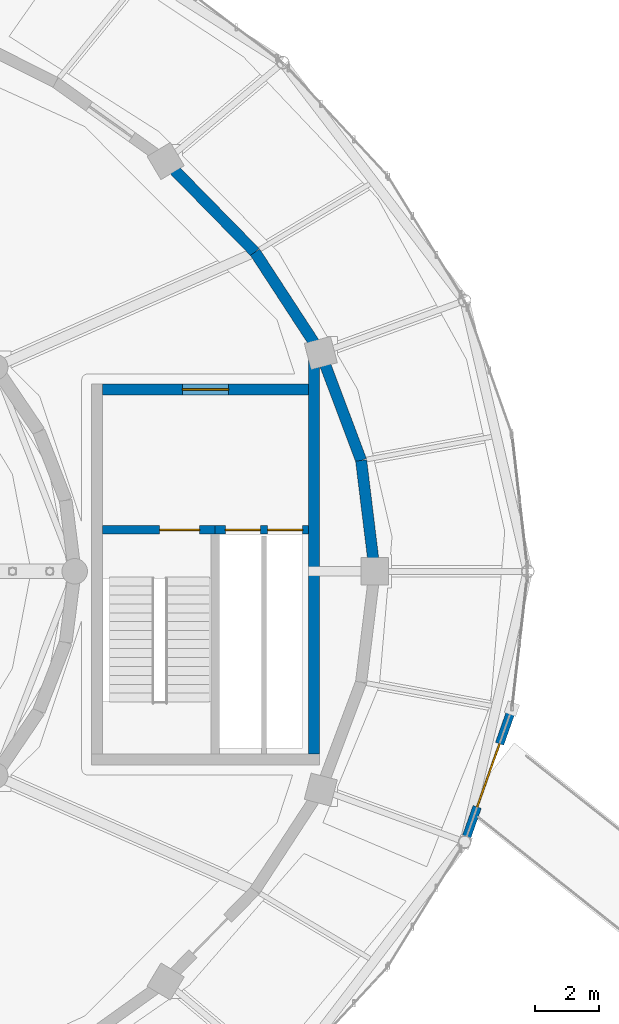
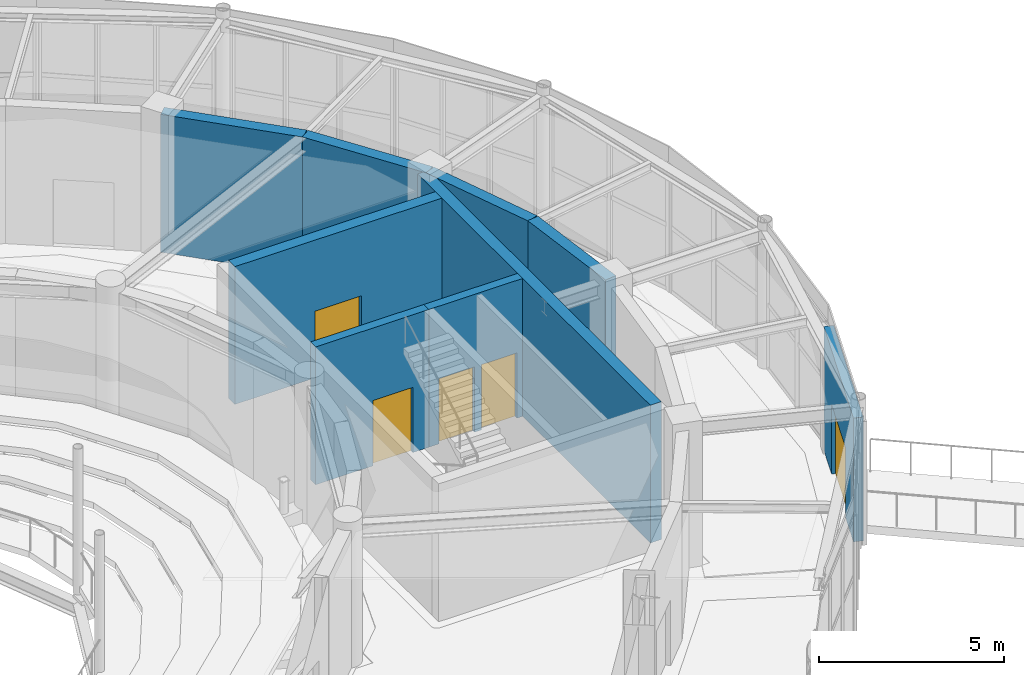
# One storey, part 80 of 100: 9 walls, 5 doors, 5 openings.
"""IFC4 building model written with IfcOpenShell, lengths in metres."""

from ifc_helpers import new_model, si_unit, direction, frame, frame_2d, origin, place, context, subcontext, project, spatial, rectangle, extrude, material, layer, layer_set, type_object, element, fill, save


model = new_model("IFC4")

# Units and contexts
model_context = context("Model", 3, precision=1e-05, world=origin(), true_north=direction((0.0, 1.0)))
body_context = subcontext(model_context, "Body", "Model", "MODEL_VIEW")
ifc_project = project(units=[si_unit("LENGTHUNIT", "METRE"), si_unit("AREAUNIT", "SQUARE_METRE"), si_unit("VOLUMEUNIT", "CUBIC_METRE"), si_unit("PLANEANGLEUNIT", "RADIAN"), si_unit("MASSUNIT", "GRAM", prefix="KILO")], contexts=[model_context])

# Site, building, storey
site_placement = place(None, origin())
site = spatial("IfcSite", under=ifc_project, at=site_placement, CompositionType="ELEMENT")
building_placement = place(site_placement, origin())
building = spatial("IfcBuilding", under=site, at=building_placement, Name="Tarnveldt Headland Concert Hall", CompositionType="ELEMENT")
storey_placement = place(building_placement, frame((0.0, 0.0, 4.800048828125)))
storey = spatial("IfcBuildingStorey", under=building, at=storey_placement, Name="L01", CompositionType="ELEMENT", Elevation=4.800048828125)

# Walls
ifc_material_1 = material(Name="Concrete C40/50", Category="concrete")
ifc_layer_1 = layer(ifc_material_1, 0.35009765625, Name="Concrete C40/50", Category="concrete")
ifc_layer_set_1 = layer_set([ifc_layer_1], Name="Concrete C40/50")
wall_type_1 = type_object("IfcWallType", Name="WL-CR350", PredefinedType="SHEAR", material=ifc_layer_set_1)
wall_1_placement = place(storey_placement, frame((111.5, 54.5, 0.0), z_axis=(0.0, 0.0, 1.0), x_axis=(-0.121552414401, 0.99258501427, 0.0)))
element("IfcWall", 1, at=wall_1_placement, inside=storey, type_object=wall_type_1, Name="Symphony drum shear wall L01-1", PredefinedType="SHEAR", context=body_context, shape_type="SweptSolid", body=[
    extrude(rectangle(XDim=3.498779296875, YDim=0.35009765625, at=frame_2d((1.74951171875, 0.0))), origin(), (0.0, 0.0, 1.0), 4.5400390625),
])
wall_2_placement = place(storey_placement, frame((111.07470703125, 57.972900390625, 0.0), z_axis=(0.0, 0.0, 1.0), x_axis=(-0.351279653979, 0.936270583058, 0.0)))
element("IfcWall", 2, at=wall_2_placement, inside=storey, type_object=wall_type_1, Name="Symphony drum shear wall L01-2", PredefinedType="SHEAR", context=body_context, shape_type="SweptSolid", body=[
    extrude(rectangle(XDim=3.5966796875, YDim=0.35009765625, at=frame_2d((1.79833984375, 0.0))), origin(), (0.0, 0.0, 1.0), 4.5400390625),
])
wall_3_placement = place(storey_placement, frame((109.811279296875, 61.34033203125, 0.0), z_axis=(0.0, 0.0, 1.0), x_axis=(-0.546611158382, 0.837386554425, 0.0)))
element("IfcWall", 3, at=wall_3_placement, inside=storey, type_object=wall_type_1, Name="Symphony drum shear wall L01-3", PredefinedType="SHEAR", context=body_context, shape_type="SweptSolid", body=[
    extrude(rectangle(XDim=3.773193359375, YDim=0.35009765625, at=frame_2d((1.88671875, 0.0))), origin(), (0.0, 0.0, 1.0), 4.5400390625),
])
wall_4_placement = place(storey_placement, frame((107.748779296875, 64.5, 0.0), z_axis=(0.0, 0.0, 1.0), x_axis=(-0.700051268358, 0.714092586203, 0.0)))
element("IfcWall", 4, at=wall_4_placement, inside=storey, type_object=wall_type_1, Name="Symphony drum shear wall L01-4", PredefinedType="SHEAR", context=body_context, shape_type="SweptSolid", body=[
    extrude(rectangle(XDim=3.9990234375, YDim=0.35009765625, at=frame_2d((1.99951171875, 0.0))), origin(), (0.0, 0.0, 1.0), 4.5400390625),
])

# Wall, opening, door
wall_5_placement = place(storey_placement, frame((102.97509765625, 60.199951171875, 0.0), z_axis=(0.0, 0.0, 1.0), x_axis=(1.0, 0.0, 0.0)))
wall_5 = element("IfcWall", 5, at=wall_5_placement, inside=storey, type_object=wall_type_1, Name="Core C2 north shear wall L01", PredefinedType="SHEAR", context=body_context, shape_type="SweptSolid", body=[
    extrude(rectangle(XDim=6.449951171875, YDim=0.35009765625, at=frame_2d((3.22509765625, 0.0))), origin(), (0.0, 0.0, 1.0), 4.5400390625),
])
opening_1_placement = place(wall_5_placement, frame((2.5, 0.0, 0.0)))
opening_1 = element("IfcOpeningElement", 6, at=opening_1_placement, cuts=wall_5, Name="Opening LBD-C2-L01", PredefinedType="OPENING", context=body_context, shape_type="SweptSolid", body=[
    extrude(rectangle(XDim=1.449951171875, YDim=2.199951171875, at=frame_2d((0.72509765625, 1.10009765625))), frame((0.0, 0.18505859375, 0.0), z_axis=(0.0, -1.0, 0.0), x_axis=(1.0, 0.0, 0.0)), (0.0, 0.0, 1.0), 0.3701171875),
])
ifc_material_2 = material(Name="Galvanised painted steel sheet", Category="steel")
door_type_1 = type_object("IfcDoorType", Name="DR-LB145", OperationType="NOTDEFINED", PredefinedType="DOOR", material=ifc_material_2)
door_1_placement = place(opening_1_placement, origin())
door_1 = element("IfcDoor", 7, at=door_1_placement, inside=storey, type_object=door_type_1, Name="Core C2 lobby entrance door L01", OperationType="SINGLE_SWING_RIGHT", OverallHeight=2.199951171875, OverallWidth=1.449951171875, PredefinedType="DOOR", context=body_context, shape_type="SweptSolid", body=[
    extrude(rectangle(XDim=1.449951171875, YDim=2.199951171875, at=frame_2d((0.72509765625, 1.10009765625))), frame((0.0, 0.02490234375, 0.0), z_axis=(0.0, -1.0, 0.0), x_axis=(1.0, 0.0, 0.0)), (0.0, 0.0, 1.0), 0.050048828125),
])
fill(opening_1, door_1)

# Wall
wall_6_placement = place(storey_placement, frame((109.60009765625, 48.77490234375, 0.0), z_axis=(0.0, 0.0, 1.0), x_axis=(0.0, 1.0, 0.0)))
element("IfcWall", 8, at=wall_6_placement, inside=storey, type_object=wall_type_1, Name="Core C2 east shear wall L01", PredefinedType="SHEAR", context=body_context, shape_type="SweptSolid", body=[
    extrude(rectangle(XDim=12.565185546875, YDim=0.35009765625, at=frame_2d((6.28271484375, 0.0))), origin(), (0.0, 0.0, 1.0), 4.5400390625),
])

# Wall, opening, door
ifc_material_3 = material(Name="Coral-toned precast concrete C40/50", Category="concrete")
ifc_layer_2 = layer(ifc_material_3, 0.27490234375, Name="Coral-toned precast concrete C40/50", Category="concrete")
ifc_layer_set_2 = layer_set([ifc_layer_2], Name="Coral-toned precast concrete C40/50")
wall_type_2 = type_object("IfcWallType", Name="WL-EX275", PredefinedType="SOLIDWALL", material=ifc_layer_set_2)
wall_7_placement = place(storey_placement, frame((115.794921875, 50.174560546875, 0.0), z_axis=(0.0, 0.0, 1.0), x_axis=(-0.334024212389, -0.9425644941, 0.0)))
wall_7 = element("IfcWall", 9, at=wall_7_placement, inside=storey, type_object=wall_type_2, Name="External precast wall L01-45", PredefinedType="SOLIDWALL", context=body_context, shape_type="SweptSolid", body=[
    extrude(rectangle(XDim=4.389892578125, YDim=0.27490234375, at=frame_2d((2.19482421875, 0.0))), origin(), (0.0, 0.0, 1.0), 4.077880859375),
])
opening_2_placement = place(wall_7_placement, frame((1.14501953125, 0.0, 0.0)))
opening_2 = element("IfcOpeningElement", 10, at=opening_2_placement, cuts=wall_7, Name="Opening TD-01", PredefinedType="OPENING", context=body_context, shape_type="SweptSolid", body=[
    extrude(rectangle(XDim=2.10009765625, YDim=2.300048828125, at=frame_2d((1.050048828125, 1.14990234375))), frame((0.0, 0.1474609375, 0.0), z_axis=(0.0, -1.0, 0.0), x_axis=(1.0, 0.0, 0.0)), (0.0, 0.0, 1.0), 0.294921875),
])
ifc_material_4 = material(Name="Marine-anodised aluminium EN AW-6063-T6", Category="aluminium")
door_type_2 = type_object("IfcDoorType", Name="DR-BR210", OperationType="NOTDEFINED", PredefinedType="DOOR", material=ifc_material_4)
door_2_placement = place(opening_2_placement, origin())
door_2 = element("IfcDoor", 11, at=door_2_placement, inside=storey, type_object=door_type_2, Name="Forecourt bridge concourse entrance door", OperationType="DOUBLE_DOOR_SINGLE_SWING", OverallHeight=2.300048828125, OverallWidth=2.10009765625, PredefinedType="DOOR", context=body_context, shape_type="SweptSolid", body=[
    extrude(rectangle(XDim=2.10009765625, YDim=2.300048828125, at=frame_2d((1.050048828125, 1.14990234375))), frame((0.0, 0.02490234375, 0.0), z_axis=(0.0, -1.0, 0.0), x_axis=(1.0, 0.0, 0.0)), (0.0, 0.0, 1.0), 0.050048828125),
])
fill(opening_2, door_2)

ifc_layer_3 = layer(ifc_material_1, 0.27490234375, Name="Concrete C40/50", Category="concrete")
ifc_layer_set_3 = layer_set([ifc_layer_3], Name="Concrete C40/50")
wall_type_3 = type_object("IfcWallType", Name="WL-SH275", PredefinedType="SHEAR", material=ifc_layer_set_3)
wall_8_placement = place(storey_placement, frame((102.97509765625, 55.800048828125, 0.0), z_axis=(0.0, 0.0, 1.0), x_axis=(1.0, 0.0, 0.0)))
wall_8 = element("IfcWall", 12, at=wall_8_placement, inside=storey, type_object=wall_type_3, Name="Core C2 stair enclosure wall L01", PredefinedType="SHEAR", context=body_context, shape_type="SweptSolid", body=[
    extrude(rectangle(XDim=3.52490234375, YDim=0.27490234375, at=frame_2d((1.762451171875, 0.0))), origin(), (0.0, 0.0, 1.0), 4.5400390625),
])
opening_3_placement = place(wall_8_placement, frame((1.784912109375, 0.0, 0.0)))
opening_3 = element("IfcOpeningElement", 13, at=opening_3_placement, cuts=wall_8, Name="Opening SD-C2-L01", PredefinedType="OPENING", context=body_context, shape_type="SweptSolid", body=[
    extrude(rectangle(XDim=1.25, YDim=2.14990234375, at=frame_2d((0.625, 1.074951171875))), frame((0.0, 0.1474609375, 0.0), z_axis=(0.0, -1.0, 0.0), x_axis=(1.0, 0.0, 0.0)), (0.0, 0.0, 1.0), 0.294921875),
])
door_type_3 = type_object("IfcDoorType", Name="DR-ST125", OperationType="NOTDEFINED", PredefinedType="DOOR", material=ifc_material_2)
door_3_placement = place(opening_3_placement, origin())
door_3 = element("IfcDoor", 14, at=door_3_placement, inside=storey, type_object=door_type_3, Name="Core C2 stair fire door L01", OperationType="SINGLE_SWING_RIGHT", OverallHeight=2.14990234375, OverallWidth=1.25, PredefinedType="DOOR", context=body_context, shape_type="SweptSolid", body=[
    extrude(rectangle(XDim=1.25, YDim=2.14990234375, at=frame_2d((0.625, 1.074951171875))), frame((0.0, 0.02490234375, 0.0), z_axis=(0.0, -1.0, 0.0), x_axis=(1.0, 0.0, 0.0)), (0.0, 0.0, 1.0), 0.050048828125),
])
fill(opening_3, door_3)

# Wall, openings, doors
wall_9_placement = place(storey_placement, frame((106.5, 55.800048828125, 0.0), z_axis=(0.0, 0.0, 1.0), x_axis=(1.0, 0.0, 0.0)))
wall_9 = element("IfcWall", 15, at=wall_9_placement, inside=storey, type_object=wall_type_3, Name="Core C2 lift shaft front wall L01", PredefinedType="SHEAR", context=body_context, shape_type="SweptSolid", body=[
    extrude(rectangle(XDim=2.925048828125, YDim=0.27490234375, at=frame_2d((1.46240234375, 0.0))), origin(), (0.0, 0.0, 1.0), 4.5400390625),
])
opening_4_placement = place(wall_9_placement, frame((0.320068359375, 0.0, 0.0)))
opening_4 = element("IfcOpeningElement", 16, at=opening_4_placement, cuts=wall_9, Name="Opening LD-LP-02-L01", PredefinedType="OPENING", context=body_context, shape_type="SweptSolid", body=[
    extrude(rectangle(XDim=1.10009765625, YDim=2.14990234375, at=frame_2d((0.550048828125, 1.074951171875))), frame((0.0, 0.1474609375, 0.0), z_axis=(0.0, -1.0, 0.0), x_axis=(1.0, 0.0, 0.0)), (0.0, 0.0, 1.0), 0.294921875),
])
opening_5_placement = place(wall_9_placement, frame((1.64501953125, 0.0, 0.0)))
opening_5 = element("IfcOpeningElement", 17, at=opening_5_placement, cuts=wall_9, Name="Opening LD-LP-03-L01", PredefinedType="OPENING", context=body_context, shape_type="SweptSolid", body=[
    extrude(rectangle(XDim=1.10009765625, YDim=2.14990234375, at=frame_2d((0.550048828125, 1.074951171875))), frame((0.0, 0.1474609375, 0.0), z_axis=(0.0, -1.0, 0.0), x_axis=(1.0, 0.0, 0.0)), (0.0, 0.0, 1.0), 0.294921875),
])
door_type_4 = type_object("IfcDoorType", Name="LD-110", OperationType="NOTDEFINED", PredefinedType="DOOR", material=ifc_material_2)
door_4_placement = place(opening_4_placement, origin())
door_4 = element("IfcDoor", 18, at=door_4_placement, inside=storey, type_object=door_type_4, Name="Lift LP-02 sliding landing door L01", OperationType="DOUBLE_DOOR_SLIDING", OverallHeight=2.14990234375, OverallWidth=1.10009765625, PredefinedType="DOOR", context=body_context, shape_type="SweptSolid", body=[
    extrude(rectangle(XDim=1.10009765625, YDim=2.14990234375, at=frame_2d((0.550048828125, 1.074951171875))), frame((0.0, 0.02490234375, 0.0), z_axis=(0.0, -1.0, 0.0), x_axis=(1.0, 0.0, 0.0)), (0.0, 0.0, 1.0), 0.050048828125),
])
fill(opening_4, door_4)
door_5_placement = place(opening_5_placement, origin())
door_5 = element("IfcDoor", 19, at=door_5_placement, inside=storey, type_object=door_type_4, Name="Lift LP-03 sliding landing door L01", OperationType="DOUBLE_DOOR_SLIDING", OverallHeight=2.14990234375, OverallWidth=1.10009765625, PredefinedType="DOOR", context=body_context, shape_type="SweptSolid", body=[
    extrude(rectangle(XDim=1.10009765625, YDim=2.14990234375, at=frame_2d((0.550048828125, 1.074951171875))), frame((0.0, 0.02490234375, 0.0), z_axis=(0.0, -1.0, 0.0), x_axis=(1.0, 0.0, 0.0)), (0.0, 0.0, 1.0), 0.050048828125),
])
fill(opening_5, door_5)

save(model, "model.ifc")
